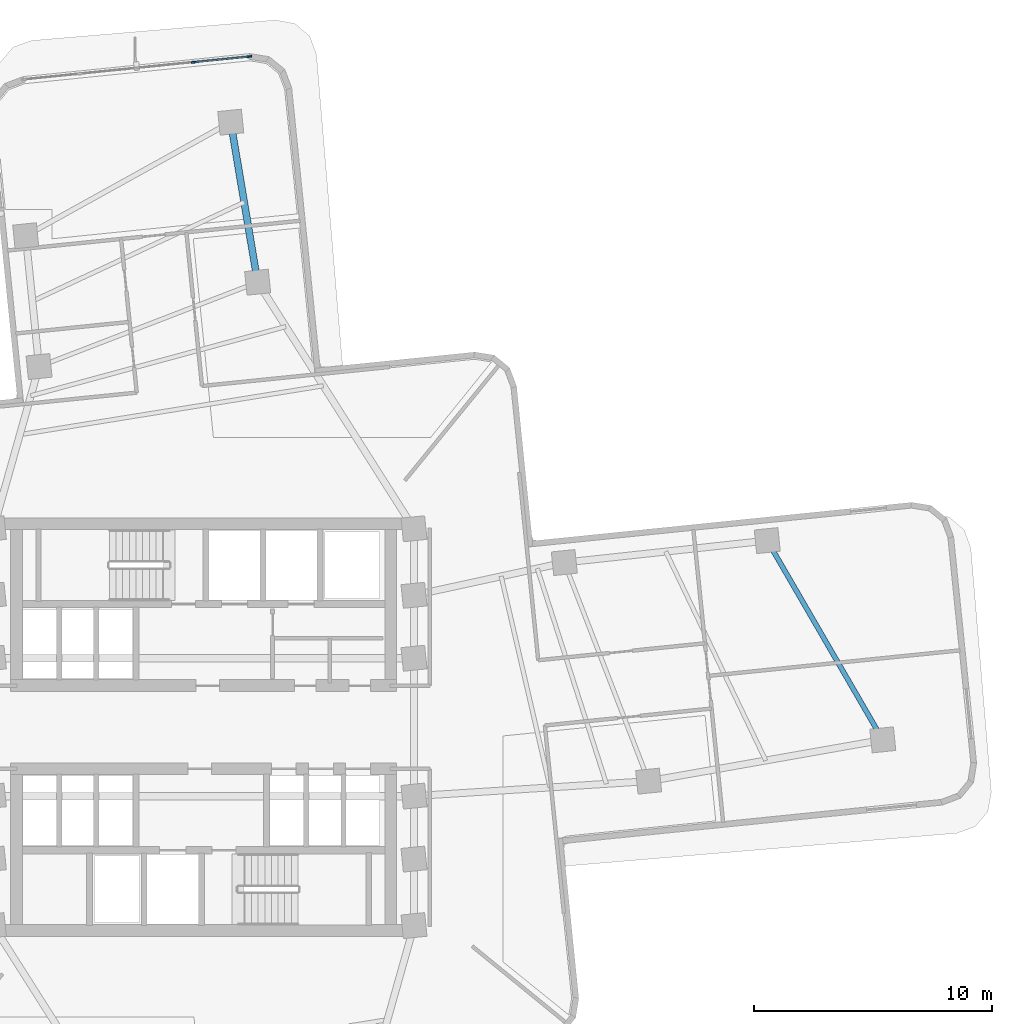
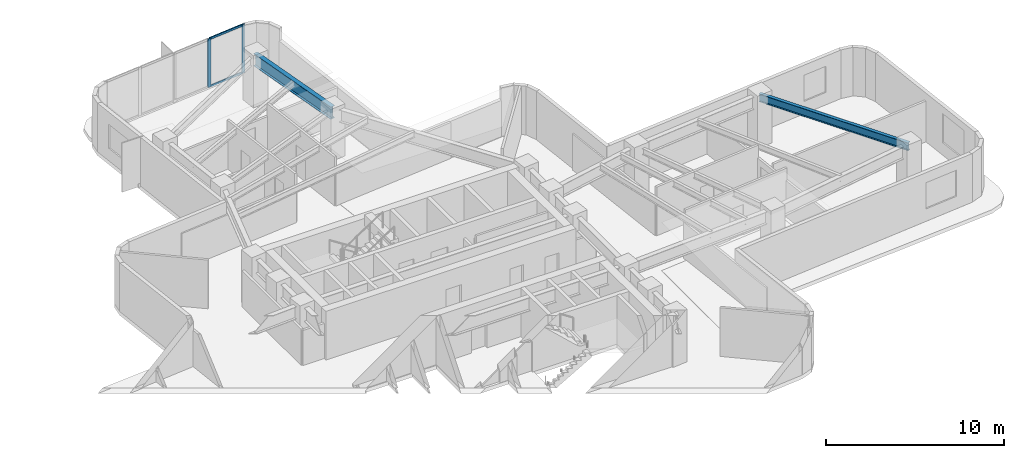
# One storey, part 5 of 14: 4 members, 2 beams, 1 element without a shape of its own.
"""IFC4 building model written with IfcOpenShell, lengths in metres."""

from ifc_helpers import new_model, si_unit, direction, frame, origin, origin_2d, place, context, subcontext, project, spatial, rectangle, i_section, extrude, material, layer, layer_set, material_profile, profile_set, type_object, element, aggregate, save


model = new_model("IFC4")

# Units and contexts
model_context = context("Model", 3, precision=1e-05, world=origin(), true_north=direction((0.0, 1.0)))
body_context = subcontext(model_context, "Body", "Model", "MODEL_VIEW")
ifc_project = project(units=[si_unit("LENGTHUNIT", "METRE"), si_unit("AREAUNIT", "SQUARE_METRE"), si_unit("VOLUMEUNIT", "CUBIC_METRE"), si_unit("PLANEANGLEUNIT", "RADIAN"), si_unit("MASSUNIT", "GRAM", prefix="KILO")], contexts=[model_context])

# Site, building, storey
site_placement = place(None, origin())
site = spatial("IfcSite", under=ifc_project, at=site_placement, CompositionType="ELEMENT")
building_placement = place(site_placement, origin())
building = spatial("IfcBuilding", under=site, at=building_placement, Name="Solmarez Civic Tower", CompositionType="ELEMENT")
storey_placement = place(building_placement, frame((0.0, 0.0, 67.679931640625)))
storey = spatial("IfcBuildingStorey", under=building, at=storey_placement, Name="L17", CompositionType="ELEMENT", Elevation=67.679931640625)

# Beams
ifc_material_1 = material(Name="Steel S355", Category="steel")
ifc_material_profile_1 = material_profile(ifc_material_1, i_section(OverallWidth=0.2919921875, OverallDepth=0.845947265625, WebThickness=0.015380859375, FlangeThickness=0.0244140625, at=origin_2d()), Name="W33X141")
ifc_profile_set_1 = profile_set([ifc_material_profile_1], Name="Steel S355")
beam_type_1 = type_object("IfcBeamType", Name="BM-PR-W33X141", PredefinedType="BEAM", material=ifc_profile_set_1)
beam_1_placement = place(storey_placement, frame((2.27099609375, 18.72412109375, 2.9169921875), z_axis=(-0.165813708215, 0.986157094062, 0.0), x_axis=(-0.986157094062, -0.165813708215, 0.0)))
element("IfcBeam", 1, at=beam_1_placement, inside=storey, type_object=beam_type_1, Name="L17 Primary Floor Beam BM-L17-NA-R2A", PredefinedType="BEAM", context=body_context, shape_type="SweptSolid", body=[
    extrude(i_section(OverallWidth=0.2919921875, OverallDepth=0.845947265625, WebThickness=0.015380859375, FlangeThickness=0.0244140625, at=origin_2d()), origin(), (0.0, 0.0, 1.0), 6.827392578125),
])
ifc_material_profile_2 = material_profile(ifc_material_1, i_section(OverallWidth=0.2109375, OverallDepth=0.5390625, WebThickness=0.01171875, FlangeThickness=0.018798828125, at=origin_2d()), Name="W21X73")
ifc_profile_set_2 = profile_set([ifc_material_profile_2], Name="Steel S355")
beam_type_2 = type_object("IfcBeamType", Name="BM-SP-W21X73", PredefinedType="SPANDREL", material=ifc_profile_set_2)
beam_2_placement = place(storey_placement, frame((28.575927734375, -0.532958984375, 3.071044921875), z_axis=(-0.501571424933, 0.865116238254, 0.0), x_axis=(-0.865116238254, -0.501571424933, 0.0)))
element("IfcBeam", 2, at=beam_2_placement, inside=storey, type_object=beam_type_2, Name="L17 Perimeter Spandrel Beam BM-L17-EA-T2", PredefinedType="SPANDREL", context=body_context, shape_type="SweptSolid", body=[
    extrude(i_section(OverallWidth=0.2109375, OverallDepth=0.5390625, WebThickness=0.01171875, FlangeThickness=0.018798828125, at=origin_2d()), origin(), (0.0, 0.0, 1.0), 9.691162109375),
])

# Curtain wall, members
ifc_material_2 = material(Name="Bronze Anodised Aluminium EN AW-6063 T6", Category="aluminium")
ifc_layer = layer(ifc_material_2, 0.199951171875)
ifc_layer_set = layer_set([ifc_layer], Name="Bronze Anodised Aluminium EN AW-6063 T6")
curtain_wall_type = type_object("IfcCurtainWallType", Name="CW-SYS-1", PredefinedType="NOTDEFINED", material=ifc_layer_set)
curtain_wall_placement = place(storey_placement, origin())
curtain_wall = element("IfcCurtainWall", 3, at=curtain_wall_placement, inside=storey, type_object=curtain_wall_type, Name="L17 Stick-Built Curtain Wall 2", PredefinedType="NOTDEFINED")
ifc_material_profile_3 = material_profile(ifc_material_2, rectangle(XDim=0.074951171875, YDim=0.199951171875, at=origin_2d()), Name="CWM-75X200")
ifc_profile_set_3 = profile_set([ifc_material_profile_3], Name="Bronze Anodised Aluminium EN AW-6063 T6")
member_type_1 = type_object("IfcMemberType", Name="CWM-TYPE-1", PredefinedType="MULLION", material=ifc_profile_set_3)
member_1_placement = place(storey_placement, frame((-0.42529296875, 27.980712890625, 0.0), z_axis=(0.0, 0.0, 1.0), x_axis=(-0.101160893168, 0.994870078801, 0.0)))
member_1 = element("IfcMember", 4, at=member_1_placement, type_object=member_type_1, Name="CWS1 mullion 4", PredefinedType="MULLION", context=body_context, shape_type="SweptSolid", body=[
    extrude(rectangle(XDim=0.074951171875, YDim=0.199951171875, at=origin_2d()), origin(), (0.0, 0.0, 1.0), 3.340087890625),
])
member_2_placement = place(storey_placement, frame((1.9296875, 28.22021484375, 0.0), z_axis=(0.0, 0.0, 1.0), x_axis=(-0.101160893168, 0.994870078801, 0.0)))
member_2 = element("IfcMember", 5, at=member_2_placement, type_object=member_type_1, Name="CWS1 mullion 5", PredefinedType="MULLION", context=body_context, shape_type="SweptSolid", body=[
    extrude(rectangle(XDim=0.074951171875, YDim=0.199951171875, at=origin_2d()), origin(), (0.0, 0.0, 1.0), 3.340087890625),
])
ifc_material_profile_4 = material_profile(ifc_material_2, rectangle(XDim=0.070068359375, YDim=0.139892578125, at=origin_2d()), Name="CWT-70X140")
ifc_profile_set_4 = profile_set([ifc_material_profile_4], Name="Bronze Anodised Aluminium EN AW-6063 T6")
member_type_2 = type_object("IfcMemberType", Name="CWT-TYPE-1", PredefinedType="USERDEFINED", material=ifc_profile_set_4)
member_3_placement = place(storey_placement, frame((-0.387939453125, 27.984619140625, 0.03515625), z_axis=(0.994877737697, 0.101085543156, 0.0), x_axis=(-0.101085543156, 0.994877737697, 0.0)))
member_3 = element("IfcMember", 6, at=member_3_placement, type_object=member_type_2, Name="CWS1 transom 4.1", ObjectType="TRANSOM", PredefinedType="USERDEFINED", context=body_context, shape_type="SweptSolid", body=[
    extrude(rectangle(XDim=0.070068359375, YDim=0.139892578125, at=origin_2d()), origin(), (0.0, 0.0, 1.0), 2.2919921875),
])
member_4_placement = place(storey_placement, frame((-0.387939453125, 27.984619140625, 3.30517578125), z_axis=(0.994877737697, 0.101085543156, 0.0), x_axis=(-0.101085543156, 0.994877737697, 0.0)))
member_4 = element("IfcMember", 7, at=member_4_placement, type_object=member_type_2, Name="CWS1 transom 4.2", ObjectType="TRANSOM", PredefinedType="USERDEFINED", context=body_context, shape_type="SweptSolid", body=[
    extrude(rectangle(XDim=0.070068359375, YDim=0.139892578125, at=origin_2d()), origin(), (0.0, 0.0, 1.0), 2.2919921875),
])
aggregate(curtain_wall, [member_1, member_2, member_3, member_4])

save(model, "model.ifc")
